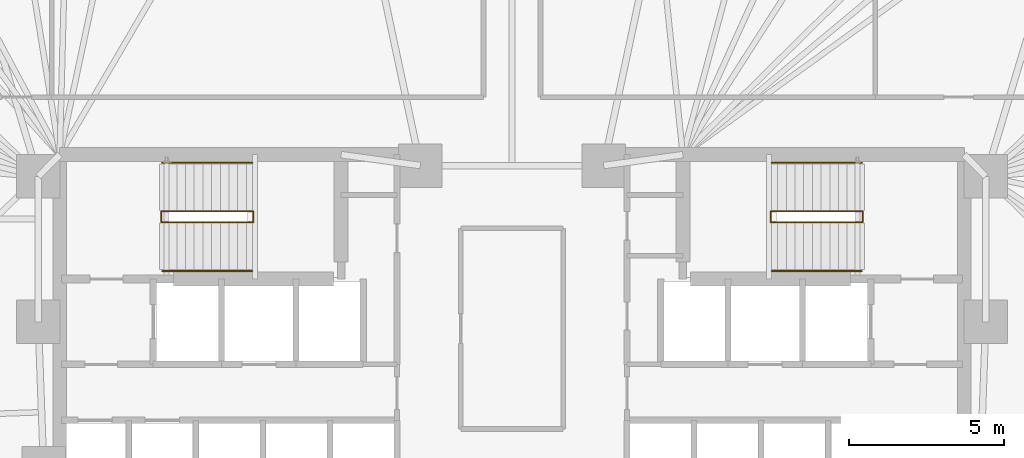
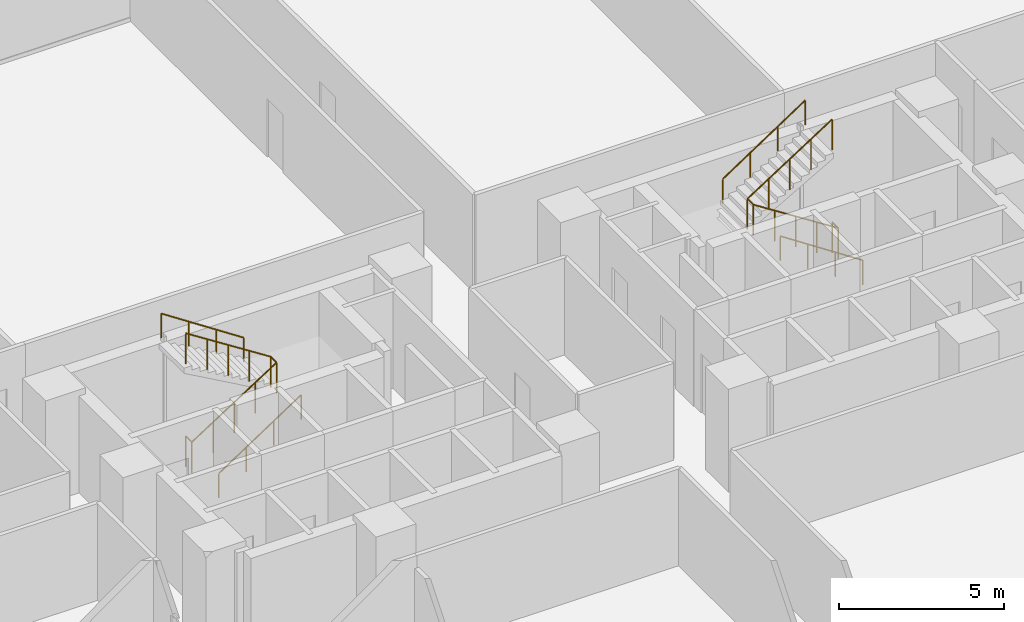
# One storey, part 17 of 17: 6 railings.
"""IFC4 building model written with IfcOpenShell, lengths in metres."""

import ifcopenshell
import ifcopenshell.guid

model = None  # the IFC model being written
_history = None  # IfcOwnerHistory: only IFC2X3 demands one
_inside = {}  # id of a spatial element -> (the spatial element, [elements in it])
_under = {}  # id of a project, library or spatial element -> (it, [spatial elements below it])
_declared = {}  # id of a project -> (the project, [libraries it declares])
_typed = {}  # id of a type object -> (the type object, [elements of that type])
_made_of = {}  # id of a material, layer set ... -> (it, [elements and type objects made of it])


def new_model(schema):
    """Start an empty IFC model of exactly this schema.

    Asked for "IFC4X3", IfcOpenShell would pick the latest addendum, in which some entities
    have other attributes; the version numbers below select the first issue.
    IFC2X3 requires an IfcOwnerHistory on every rooted entity: one is made here for all.
    """
    global model, _history
    if schema == "IFC4X3":
        model = ifcopenshell.file(schema_version=(4, 3, 0, 0))
    else:
        model = ifcopenshell.file(schema=schema)
    _inside.clear()
    _under.clear()
    _declared.clear()
    _typed.clear()
    _made_of.clear()
    _history = None
    if model.schema == "IFC2X3":
        org = make("IfcOrganization", Name="unknown")
        user = make(
            "IfcPersonAndOrganization",
            ThePerson=make("IfcPerson", FamilyName="unknown"),
            TheOrganization=org,
        )
        app = make(
            "IfcApplication",
            ApplicationDeveloper=org,
            Version="unknown",
            ApplicationFullName="unknown",
            ApplicationIdentifier="unknown",
        )
        _history = make(
            "IfcOwnerHistory",
            OwningUser=user,
            OwningApplication=app,
            ChangeAction="ADDED",
            CreationDate=0,
        )
    return model


def make(cls, **values):
    """One entity of the class cls with the attributes given. An attribute that is None is left unset."""
    return model.create_entity(
        cls, **{name: value for name, value in values.items() if value is not None}
    )


def rooted(cls, **values):
    """An entity with a GlobalId (a new one), such as an element, a storey or a relation."""
    return make(cls, GlobalId=ifcopenshell.guid.new(), OwnerHistory=_history, **values)


def si_unit(unit_type, name, prefix=None):
    """IfcSIUnit, for example si_unit("LENGTHUNIT", "METRE", prefix="MILLI")."""
    return make("IfcSIUnit", UnitType=unit_type, Prefix=prefix, Name=name)


def assignment(units):
    """IfcUnitAssignment: the units of a project."""
    return None if units is None else make("IfcUnitAssignment", Units=units)


def point(xyz):
    """IfcCartesianPoint."""
    return None if xyz is None else make("IfcCartesianPoint", Coordinates=xyz)


def direction(xyz):
    """IfcDirection."""
    return None if xyz is None else make("IfcDirection", DirectionRatios=xyz)


def frame(location, z_axis=None, x_axis=None):
    """IfcAxis2Placement3D, a coordinate frame: its origin and axes. An axis left out is left unset."""
    return make(
        "IfcAxis2Placement3D",
        Location=point(location),
        Axis=direction(z_axis),
        RefDirection=direction(x_axis),
    )


def frame_2d(location, x_axis=None):
    """IfcAxis2Placement2D, a coordinate frame in the plane: its origin and x axis."""
    return make(
        "IfcAxis2Placement2D", Location=point(location), RefDirection=direction(x_axis)
    )


def origin():
    """The frame at (0, 0, 0) with its axes left unset."""
    return frame((0.0, 0.0, 0.0))


def origin_2d():
    """The frame at (0, 0) in the plane with its x axis left unset."""
    return frame_2d((0.0, 0.0))


def place(relative_to, where):
    """IfcLocalPlacement: puts the frame where relative to a parent placement (None: the world)."""
    return make(
        "IfcLocalPlacement", PlacementRelTo=relative_to, RelativePlacement=where
    )


def context(
    kind, dimensions, precision=None, world=None, true_north=None, identifier=None
):
    """IfcGeometricRepresentationContext, for example the 3D "Model" context."""
    return make(
        "IfcGeometricRepresentationContext",
        ContextIdentifier=identifier,
        ContextType=kind,
        CoordinateSpaceDimension=dimensions,
        Precision=precision,
        WorldCoordinateSystem=world,
        TrueNorth=true_north,
    )


def subcontext(parent, identifier, kind, view, scale=None):
    """IfcGeometricRepresentationSubContext, for example "Body" below "Model"."""
    return make(
        "IfcGeometricRepresentationSubContext",
        ContextIdentifier=identifier,
        ContextType=kind,
        ParentContext=parent,
        TargetScale=scale,
        TargetView=view,
    )


def project(units=None, contexts=None):
    """IfcProject with its units and contexts."""
    return rooted(
        "IfcProject",
        Name="project",
        RepresentationContexts=contexts,
        UnitsInContext=assignment(units),
    )


def spatial(cls, under=None, at=None, **own):
    """A site, building, storey or space (cls), placed at a placement, below another one or the project."""
    s = rooted(cls, ObjectPlacement=at, **own)
    if under is not None:
        _under.setdefault(under.id(), (under, []))[1].append(s)
    return s


def profile(cls, at=None, kind="AREA", **sizes):
    """A parametric profile (cls). Its sizes go by their IFC names, for example OverallWidth=200.0."""
    return make(cls, ProfileType=kind, Position=at, **sizes)


def circle(**sizes):
    """IfcCircleProfileDef."""
    return profile("IfcCircleProfileDef", **sizes)


def extrude(swept, where, along, depth):
    """IfcExtrudedAreaSolid: the profile swept, set in the frame where, extruded along a direction by depth."""
    return make(
        "IfcExtrudedAreaSolid",
        SweptArea=swept,
        Position=where,
        ExtrudedDirection=direction(along),
        Depth=depth,
    )


def shape(context_of_items, identifier, shape_type, items):
    """IfcShapeRepresentation: the items that make up one representation, for example the "Body"."""
    return make(
        "IfcShapeRepresentation",
        ContextOfItems=context_of_items,
        RepresentationIdentifier=identifier,
        RepresentationType=shape_type,
        Items=items,
    )


def material(Name=None, Category=None):
    """IfcMaterial."""
    return make("IfcMaterial", Name=Name, Category=Category)


def made_of(thing, what):
    """Note that an element or type object is made of a material, layer set ...; save() writes the relation."""
    if what is not None:
        _made_of.setdefault(what.id(), (what, []))[1].append(thing)
    return thing


def type_object(cls, material=None, **own):
    """A type object (cls), such as IfcWallType, which elements share."""
    return made_of(rooted(cls, **own), material)


def element(
    cls,
    number,
    at=None,
    inside=None,
    cuts=None,
    type_object=None,
    material=None,
    context=None,
    identifier="Body",
    shape_type=None,
    held_by="IfcProductDefinitionShape",
    body=None,
    shapes=None,
    **own,
):
    """One element of the class cls, such as IfcWall. Its Tag is "e" and its number.

    at: its placement. inside: the storey or other place that contains it. cuts: it is an
    opening in that element (IfcRelVoidsElement). A single representation is given by context,
    identifier, shape_type and body (its items); several are given by shapes. held_by: the class
    of the entity that holds the representations. save() writes the other relations.
    """
    e = rooted(cls, Tag="e%d" % number, ObjectPlacement=at, **own)
    if body is not None:
        shapes = [shape(context, identifier, shape_type, body)]
    if shapes is not None:
        e.Representation = make(held_by, Representations=shapes)
    if inside is not None:
        _inside.setdefault(inside.id(), (inside, []))[1].append(e)
    if cuts is not None:
        rooted(
            "IfcRelVoidsElement", RelatingBuildingElement=cuts, RelatedOpeningElement=e
        )
    if type_object is not None:
        _typed.setdefault(type_object.id(), (type_object, []))[1].append(e)
    return made_of(e, material)


def aggregate(whole, parts):
    """IfcRelAggregates: a whole, such as a stair, and the parts it consists of."""
    return rooted("IfcRelAggregates", RelatingObject=whole, RelatedObjects=parts)


def save(model, path):
    """Write the relations noted so far, then the file.

    IfcRelAggregates (storeys below a building ...), IfcRelContainedInSpatialStructure (elements
    in a storey), IfcRelDefinesByType, IfcRelAssociatesMaterial and IfcRelDeclares: one each for
    every whole, place, type object, material and project.
    """
    for whole, parts in _under.values():
        aggregate(whole, parts)
    for where, things in _inside.values():
        rooted(
            "IfcRelContainedInSpatialStructure",
            RelatedElements=things,
            RelatingStructure=where,
        )
    for kind, things in _typed.values():
        rooted("IfcRelDefinesByType", RelatedObjects=things, RelatingType=kind)
    for what, things in _made_of.values():
        rooted("IfcRelAssociatesMaterial", RelatedObjects=things, RelatingMaterial=what)
    for by, libraries in _declared.values():
        rooted("IfcRelDeclares", RelatingContext=by, RelatedDefinitions=libraries)
    model.write(path)


model = new_model("IFC4")

# Units and contexts
model_context = context("Model", 3, precision=1e-05, world=origin(), true_north=direction((0.0, 1.0)))
body_context = subcontext(model_context, "Body", "Model", "MODEL_VIEW")
ifc_project = project(units=[si_unit("LENGTHUNIT", "METRE"), si_unit("AREAUNIT", "SQUARE_METRE"), si_unit("VOLUMEUNIT", "CUBIC_METRE"), si_unit("PLANEANGLEUNIT", "RADIAN"), si_unit("MASSUNIT", "GRAM", prefix="KILO")], contexts=[model_context])

# Site, building, storey
site_placement = place(None, origin())
site = spatial("IfcSite", under=ifc_project, at=site_placement, CompositionType="ELEMENT")
building_placement = place(site_placement, origin())
building = spatial("IfcBuilding", under=site, at=building_placement, Name="Menara Jurai Vektor", CompositionType="ELEMENT")
storey_placement = place(building_placement, frame((0.0, 0.0, 71.199951171875)))
storey = spatial("IfcBuildingStorey", under=building, at=storey_placement, Name="L17", CompositionType="ELEMENT", Elevation=71.199951171875)

# Railings
ifc_material_1 = material(Name="Painted Galvanised Steel Balustrade", Category="steel")
railing_type_1 = type_object("IfcRailingType", Name="RAIL-STAIR-GUARD", PredefinedType="GUARDRAIL", material=ifc_material_1)
railing_1_placement = place(storey_placement, frame((-11.2900390625, 3.780029296875, 0.0)))
element("IfcRailing", 1, at=railing_1_placement, inside=storey, type_object=railing_type_1, Name="ST1 Stair Guardrail 1 L17", PredefinedType="GUARDRAIL", context=body_context, shape_type="SweptSolid", body=[
    extrude(circle(Radius=0.02392578125, at=origin_2d()), frame((0.0, 0.0, 1.1259765625), z_axis=(0.0, -1.0, 0.0), x_axis=(1.0, 0.0, 0.0)), (0.0, 0.0, 1.0), 0.360107421875),
    extrude(circle(Radius=0.02392578125, at=origin_2d()), frame((0.0, -0.360107421875, 1.1259765625), z_axis=(0.841525601958, 0.0, 0.540217235239), x_axis=(0.0, 1.0, 0.0)), (0.0, 0.0, 1.0), 3.517333984375),
    extrude(circle(Radius=0.02392578125, at=origin_2d()), frame((2.9599609375, -0.360107421875, 3.02587890625), z_axis=(0.0, 1.0, 0.0), x_axis=(-1.0, 0.0, 0.0)), (0.0, 0.0, 1.0), 0.360107421875),
    extrude(circle(Radius=0.02392578125, at=origin_2d()), frame((2.9599609375, 0.0, 3.02587890625), z_axis=(-0.841557155905, 0.0, 0.540168078791), x_axis=(0.0, -1.0, 0.0)), (0.0, 0.0, 1.0), 3.517333984375),
    extrude(circle(Radius=0.02099609375, at=origin_2d()), origin(), (0.0, 0.0, 1.0), 1.101806640625),
    extrude(circle(Radius=0.02099609375, at=origin_2d()), frame((0.0, -0.360107421875, 0.0)), (0.0, 0.0, 1.0), 1.101806640625),
    extrude(circle(Radius=0.02099609375, at=origin_2d()), frame((0.739990234375, -0.360107421875, 0.47509765625)), (0.0, 0.0, 1.0), 1.101806640625),
    extrude(circle(Radius=0.02099609375, at=origin_2d()), frame((1.47998046875, -0.360107421875, 0.9501953125)), (0.0, 0.0, 1.0), 1.101806640625),
    extrude(circle(Radius=0.02099609375, at=origin_2d()), frame((2.219970703125, -0.360107421875, 1.425048828125)), (0.0, 0.0, 1.0), 1.101806640625),
    extrude(circle(Radius=0.02099609375, at=origin_2d()), frame((2.9599609375, -0.360107421875, 1.900146484375)), (0.0, 0.0, 1.0), 1.101806640625),
    extrude(circle(Radius=0.02099609375, at=origin_2d()), frame((2.9599609375, 0.0, 1.900146484375)), (0.0, 0.0, 1.0), 1.101806640625),
    extrude(circle(Radius=0.02099609375, at=origin_2d()), frame((2.219970703125, 0.0, 2.375)), (0.0, 0.0, 1.0), 1.101806640625),
    extrude(circle(Radius=0.02099609375, at=origin_2d()), frame((1.47998046875, 0.0, 2.85009765625)), (0.0, 0.0, 1.0), 1.101806640625),
    extrude(circle(Radius=0.02099609375, at=origin_2d()), frame((0.739990234375, 0.0, 3.3251953125)), (0.0, 0.0, 1.0), 1.101806640625),
    extrude(circle(Radius=0.02099609375, at=origin_2d()), frame((0.0, 0.0, 3.800048828125)), (0.0, 0.0, 1.0), 1.101806640625),
])
railing_2_placement = place(storey_placement, frame((11.2900390625, 3.780029296875, 0.0)))
element("IfcRailing", 2, at=railing_2_placement, inside=storey, type_object=railing_type_1, Name="ST2 Stair Guardrail 1 L17", PredefinedType="GUARDRAIL", context=body_context, shape_type="SweptSolid", body=[
    extrude(circle(Radius=0.02392578125, at=origin_2d()), frame((0.0, 0.0, 1.1259765625), z_axis=(0.0, -1.0, 0.0), x_axis=(1.0, 0.0, 0.0)), (0.0, 0.0, 1.0), 0.360107421875),
    extrude(circle(Radius=0.02392578125, at=origin_2d()), frame((0.0, -0.360107421875, 1.1259765625), z_axis=(-0.841525601958, 0.0, 0.540217235239), x_axis=(0.0, -1.0, 0.0)), (0.0, 0.0, 1.0), 3.517333984375),
    extrude(circle(Radius=0.02392578125, at=origin_2d()), frame((-2.9599609375, -0.360107421875, 3.02587890625), z_axis=(0.0, 1.0, 0.0), x_axis=(-1.0, 0.0, 0.0)), (0.0, 0.0, 1.0), 0.360107421875),
    extrude(circle(Radius=0.02392578125, at=origin_2d()), frame((-2.9599609375, 0.0, 3.02587890625), z_axis=(0.841557155905, 0.0, 0.540168078791), x_axis=(0.0, 1.0, 0.0)), (0.0, 0.0, 1.0), 3.517333984375),
    extrude(circle(Radius=0.02099609375, at=origin_2d()), origin(), (0.0, 0.0, 1.0), 1.101806640625),
    extrude(circle(Radius=0.02099609375, at=origin_2d()), frame((0.0, -0.360107421875, 0.0)), (0.0, 0.0, 1.0), 1.101806640625),
    extrude(circle(Radius=0.02099609375, at=origin_2d()), frame((-0.739990234375, -0.360107421875, 0.47509765625)), (0.0, 0.0, 1.0), 1.101806640625),
    extrude(circle(Radius=0.02099609375, at=origin_2d()), frame((-1.47998046875, -0.360107421875, 0.9501953125)), (0.0, 0.0, 1.0), 1.101806640625),
    extrude(circle(Radius=0.02099609375, at=origin_2d()), frame((-2.219970703125, -0.360107421875, 1.425048828125)), (0.0, 0.0, 1.0), 1.101806640625),
    extrude(circle(Radius=0.02099609375, at=origin_2d()), frame((-2.9599609375, -0.360107421875, 1.900146484375)), (0.0, 0.0, 1.0), 1.101806640625),
    extrude(circle(Radius=0.02099609375, at=origin_2d()), frame((-2.9599609375, 0.0, 1.900146484375)), (0.0, 0.0, 1.0), 1.101806640625),
    extrude(circle(Radius=0.02099609375, at=origin_2d()), frame((-2.219970703125, 0.0, 2.375)), (0.0, 0.0, 1.0), 1.101806640625),
    extrude(circle(Radius=0.02099609375, at=origin_2d()), frame((-1.47998046875, 0.0, 2.85009765625)), (0.0, 0.0, 1.0), 1.101806640625),
    extrude(circle(Radius=0.02099609375, at=origin_2d()), frame((-0.739990234375, 0.0, 3.3251953125)), (0.0, 0.0, 1.0), 1.101806640625),
    extrude(circle(Radius=0.02099609375, at=origin_2d()), frame((0.0, 0.0, 3.800048828125)), (0.0, 0.0, 1.0), 1.101806640625),
])
ifc_material_2 = material(Name="Brushed Stainless Steel Handrail", Category="steel")
railing_type_2 = type_object("IfcRailingType", Name="RAIL-STAIR-HAND", PredefinedType="HANDRAIL", material=ifc_material_2)
railing_3_placement = place(storey_placement, frame((-11.25, 1.860107421875, 0.0)))
element("IfcRailing", 3, at=railing_3_placement, inside=storey, type_object=railing_type_2, Name="ST1 Stair Handrail 1 L17", PredefinedType="HANDRAIL", context=body_context, shape_type="SweptSolid", body=[
    extrude(circle(Radius=0.02392578125, at=origin_2d()), frame((0.0, 0.0, 0.89599609375), z_axis=(0.834686171885, 0.0, 0.550725879602), x_axis=(0.0, 1.0, 0.0)), (0.0, 0.0, 1.0), 3.4501953125),
    extrude(circle(Radius=0.02099609375, at=origin_2d()), origin(), (0.0, 0.0, 1.0), 0.871826171875),
    extrude(circle(Radius=0.02099609375, at=origin_2d()), frame((0.9599609375, 0.0, 0.63330078125)), (0.0, 0.0, 1.0), 0.871826171875),
    extrude(circle(Radius=0.02099609375, at=origin_2d()), frame((1.919921875, 0.0, 1.266845703125)), (0.0, 0.0, 1.0), 0.871826171875),
    extrude(circle(Radius=0.02099609375, at=origin_2d()), frame((2.8798828125, 0.0, 1.900146484375)), (0.0, 0.0, 1.0), 0.871826171875),
])
railing_4_placement = place(storey_placement, frame((-8.3701171875, 5.340087890625, 1.900146484375)))
element("IfcRailing", 4, at=railing_4_placement, inside=storey, type_object=railing_type_2, Name="ST1 Stair Handrail 2 L17", PredefinedType="HANDRAIL", context=body_context, shape_type="SweptSolid", body=[
    extrude(circle(Radius=0.02392578125, at=origin_2d()), frame((0.0, 0.0, 0.89599609375), z_axis=(-0.834718698933, 0.0, 0.550676578085), x_axis=(0.0, -1.0, 0.0)), (0.0, 0.0, 1.0), 3.4501953125),
    extrude(circle(Radius=0.02099609375, at=origin_2d()), origin(), (0.0, 0.0, 1.0), 0.871826171875),
    extrude(circle(Radius=0.02099609375, at=origin_2d()), frame((-0.9599609375, 0.0, 0.63330078125)), (0.0, 0.0, 1.0), 0.871826171875),
    extrude(circle(Radius=0.02099609375, at=origin_2d()), frame((-1.919921875, 0.0, 1.2666015625)), (0.0, 0.0, 1.0), 0.871826171875),
    extrude(circle(Radius=0.02099609375, at=origin_2d()), frame((-2.8798828125, 0.0, 1.89990234375)), (0.0, 0.0, 1.0), 0.871826171875),
])
railing_5_placement = place(storey_placement, frame((11.25, 1.860107421875, 0.0)))
element("IfcRailing", 5, at=railing_5_placement, inside=storey, type_object=railing_type_2, Name="ST2 Stair Handrail 1 L17", PredefinedType="HANDRAIL", context=body_context, shape_type="SweptSolid", body=[
    extrude(circle(Radius=0.02392578125, at=origin_2d()), frame((0.0, 0.0, 0.89599609375), z_axis=(-0.834686171885, 0.0, 0.550725879602), x_axis=(0.0, -1.0, 0.0)), (0.0, 0.0, 1.0), 3.4501953125),
    extrude(circle(Radius=0.02099609375, at=origin_2d()), origin(), (0.0, 0.0, 1.0), 0.871826171875),
    extrude(circle(Radius=0.02099609375, at=origin_2d()), frame((-0.9599609375, 0.0, 0.63330078125)), (0.0, 0.0, 1.0), 0.871826171875),
    extrude(circle(Radius=0.02099609375, at=origin_2d()), frame((-1.919921875, 0.0, 1.266845703125)), (0.0, 0.0, 1.0), 0.871826171875),
    extrude(circle(Radius=0.02099609375, at=origin_2d()), frame((-2.8798828125, 0.0, 1.900146484375)), (0.0, 0.0, 1.0), 0.871826171875),
])
railing_6_placement = place(storey_placement, frame((8.3701171875, 5.340087890625, 1.900146484375)))
element("IfcRailing", 6, at=railing_6_placement, inside=storey, type_object=railing_type_2, Name="ST2 Stair Handrail 2 L17", PredefinedType="HANDRAIL", context=body_context, shape_type="SweptSolid", body=[
    extrude(circle(Radius=0.02392578125, at=origin_2d()), frame((0.0, 0.0, 0.89599609375), z_axis=(0.834718698933, 0.0, 0.550676578085), x_axis=(0.0, 1.0, 0.0)), (0.0, 0.0, 1.0), 3.4501953125),
    extrude(circle(Radius=0.02099609375, at=origin_2d()), origin(), (0.0, 0.0, 1.0), 0.871826171875),
    extrude(circle(Radius=0.02099609375, at=origin_2d()), frame((0.9599609375, 0.0, 0.63330078125)), (0.0, 0.0, 1.0), 0.871826171875),
    extrude(circle(Radius=0.02099609375, at=origin_2d()), frame((1.919921875, 0.0, 1.2666015625)), (0.0, 0.0, 1.0), 0.871826171875),
    extrude(circle(Radius=0.02099609375, at=origin_2d()), frame((2.8798828125, 0.0, 1.89990234375)), (0.0, 0.0, 1.0), 0.871826171875),
])

save(model, "model.ifc")
